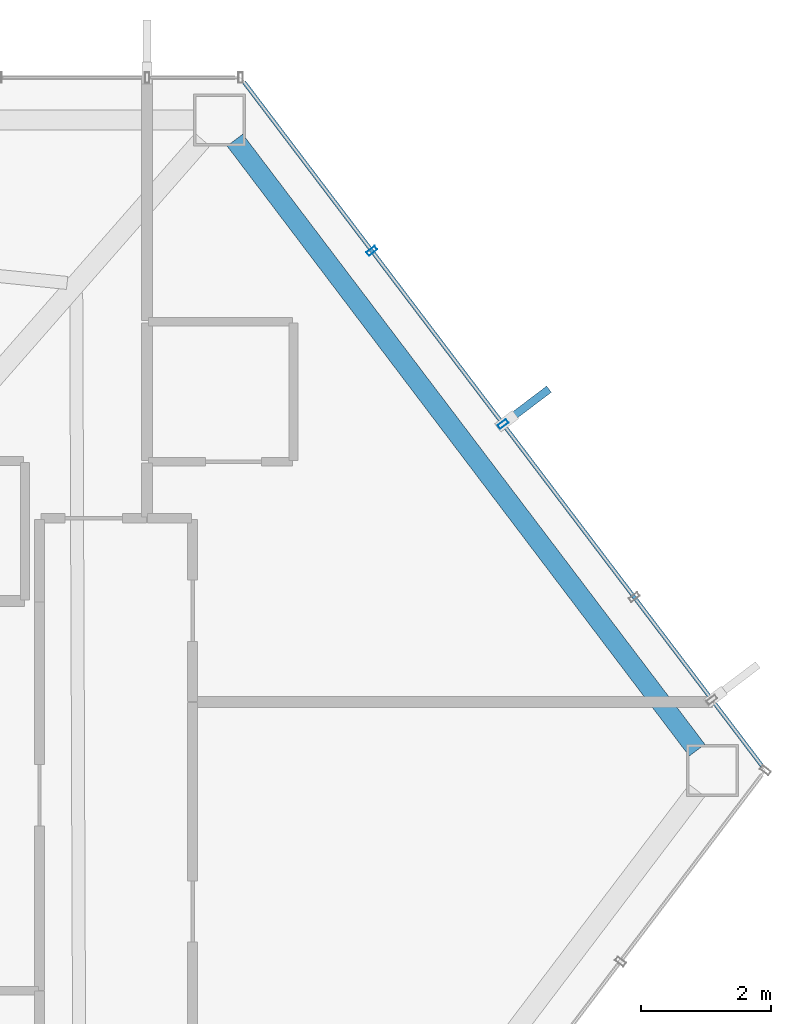
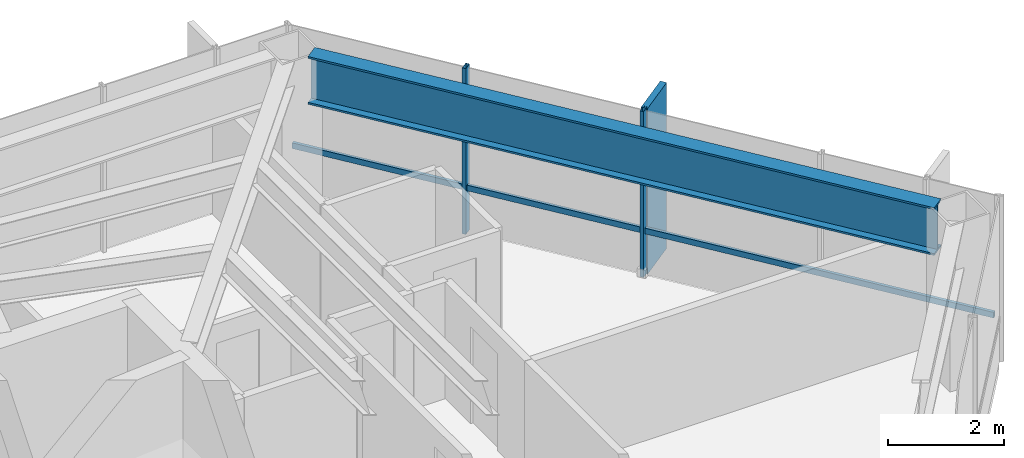
# One storey, part 23 of 28: 4 members, 1 beam, 1 element without a shape of its own.
"""IFC4 building model written with IfcOpenShell, lengths in metres."""

from ifc_helpers import new_model, si_unit, direction, frame, origin, origin_2d, place, context, subcontext, project, spatial, rectangle, hollow_rectangle, i_section, extrude, material, layer, layer_set, material_profile, profile_set, type_object, element, aggregate, save


model = new_model("IFC4")

# Units and contexts
model_context = context("Model", 3, precision=1e-05, world=origin(), true_north=direction((0.0, 1.0)))
body_context = subcontext(model_context, "Body", "Model", "MODEL_VIEW")
ifc_project = project(units=[si_unit("LENGTHUNIT", "METRE"), si_unit("AREAUNIT", "SQUARE_METRE"), si_unit("VOLUMEUNIT", "CUBIC_METRE"), si_unit("PLANEANGLEUNIT", "RADIAN"), si_unit("MASSUNIT", "GRAM", prefix="KILO")], contexts=[model_context])

# Site, building, storey
site_placement = place(None, origin())
site = spatial("IfcSite", under=ifc_project, at=site_placement, CompositionType="ELEMENT")
building_placement = place(site_placement, origin())
building = spatial("IfcBuilding", under=site, at=building_placement, Name="Zarrinselat Tower", CompositionType="ELEMENT")
storey_placement = place(building_placement, frame((0.0, 0.0, 123.419921875)))
storey = spatial("IfcBuildingStorey", under=building, at=storey_placement, Name="L29", CompositionType="ELEMENT", Elevation=123.419921875)

# Beam
ifc_material_1 = material(Name="Steel S460M", Category="steel")
ifc_material_profile_1 = material_profile(ifc_material_1, i_section(OverallWidth=0.302001953125, OverallDepth=1.008056640625, WebThickness=0.02099609375, FlangeThickness=0.0400390625, at=origin_2d()), Name="HEM 1000")
ifc_profile_set_1 = profile_set([ifc_material_profile_1], Name="Steel S460M")
beam_type = type_object("IfcBeamType", Name="BM-HEM1000", PredefinedType="BEAM", material=ifc_profile_set_1)
beam_placement = place(storey_placement, frame((54.64892578125, 48.307373046875, 2.99609375), z_axis=(0.603854888535, -0.79709426895, 0.0), x_axis=(0.79709426895, 0.603854888535, 0.0)))
element("IfcBeam", 1, at=beam_placement, inside=storey, type_object=beam_type, Name="L29 Perimeter Spandrel Girder SP15", PredefinedType="BEAM", context=body_context, shape_type="SweptSolid", body=[
    extrude(i_section(OverallWidth=0.302001953125, OverallDepth=1.008056640625, WebThickness=0.02099609375, FlangeThickness=0.0400390625, at=origin_2d()), origin(), (0.0, 0.0, 1.0), 11.75341796875),
])

# Curtain wall, members
ifc_material_2 = material(Name="Extruded Aluminium Alloy EN AW-6063 T6", Category="aluminium")
ifc_layer = layer(ifc_material_2, 0.175048828125)
ifc_layer_set = layer_set([ifc_layer], Name="Extruded Aluminium Alloy EN AW-6063 T6")
curtain_wall_type = type_object("IfcCurtainWallType", Name="CWS-HTL", PredefinedType="NOTDEFINED", material=ifc_layer_set)
curtain_wall_placement = place(storey_placement, origin())
curtain_wall = element("IfcCurtainWall", 2, at=curtain_wall_placement, inside=storey, type_object=curtain_wall_type, Name="L29 Unitised Curtain Wall CW-L29-E06", PredefinedType="NOTDEFINED")
ifc_material_3 = material(Name="Extruded Aluminium Alloy EN AW-6063 T6", Category="aluminium")
ifc_material_profile_2 = material_profile(ifc_material_3, hollow_rectangle(XDim=0.070068359375, YDim=0.159912109375, WallThickness=0.00390625, at=origin_2d()), Name="RHS 160x70x4")
ifc_profile_set_2 = profile_set([ifc_material_profile_2], Name="Extruded Aluminium Alloy EN AW-6063 T6")
member_type_1 = type_object("IfcMemberType", Name="MEM-CW-MUL2", PredefinedType="MULLION", material=ifc_profile_set_2)
member_1_placement = place(storey_placement, frame((58.766845703125, 43.947998046875, 0.0), z_axis=(0.0, 0.0, 1.0), x_axis=(-0.603858409354, 0.79709160167, 0.0)))
member_1 = element("IfcMember", 3, at=member_1_placement, type_object=member_type_1, Name="CW-L29-E06 Mullion 3", PredefinedType="MULLION", context=body_context, shape_type="SweptSolid", body=[
    extrude(hollow_rectangle(XDim=0.070068359375, YDim=0.159912109375, WallThickness=0.00390625, at=origin_2d()), origin(), (0.0, 0.0, 1.0), 3.5),
])
member_2_placement = place(storey_placement, frame((56.752197265625, 46.607421875, 0.0), z_axis=(0.0, 0.0, 1.0), x_axis=(-0.603858409354, 0.79709160167, 0.0)))
member_2 = element("IfcMember", 4, at=member_2_placement, type_object=member_type_1, Name="CW-L29-E06 Mullion 4", PredefinedType="MULLION", context=body_context, shape_type="SweptSolid", body=[
    extrude(hollow_rectangle(XDim=0.070068359375, YDim=0.159912109375, WallThickness=0.00390625, at=origin_2d()), origin(), (0.0, 0.0, 1.0), 3.5),
])
ifc_material_4 = material(Name="Extruded Aluminium Alloy EN AW-6063 T6", Category="aluminium")
ifc_material_profile_3 = material_profile(ifc_material_4, hollow_rectangle(XDim=0.06005859375, YDim=0.1201171875, WallThickness=0.00390625, at=origin_2d()), Name="RHS 120x60x4")
ifc_profile_set_3 = profile_set([ifc_material_profile_3], Name="Extruded Aluminium Alloy EN AW-6063 T6")
member_type_2 = type_object("IfcMemberType", Name="MEM-CW-TRN2", PredefinedType="USERDEFINED", material=ifc_profile_set_3)
member_3_placement = place(storey_placement, frame((62.74169921875, 38.701171875, 0.9501953125), z_axis=(-0.603847333729, 0.797099992189, 0.0), x_axis=(-0.797099992189, -0.603847333729, 0.0)))
member_3 = element("IfcMember", 5, at=member_3_placement, type_object=member_type_2, Name="CW-L29-E06 Transom 1", ObjectType="TRANSOM", PredefinedType="USERDEFINED", context=body_context, shape_type="SweptSolid", body=[
    extrude(hollow_rectangle(XDim=0.06005859375, YDim=0.1201171875, WallThickness=0.00390625, at=origin_2d()), origin(), (0.0, 0.0, 1.0), 13.1650390625),
])
ifc_material_5 = material(Name="Honed Cream Travertine Stone", Category="masonry")
ifc_material_profile_4 = material_profile(ifc_material_5, rectangle(XDim=0.1201171875, YDim=0.85009765625, at=origin_2d()), Name="FIN 850x120")
ifc_profile_set_4 = profile_set([ifc_material_profile_4], Name="Honed Cream Travertine Stone")
member_type_3 = type_object("IfcMemberType", Name="MEM-STONE-FIN", PredefinedType="USERDEFINED", material=ifc_profile_set_4)
member_4_placement = place(storey_placement, frame((59.133544921875, 44.225830078125, 0.0), z_axis=(0.0, 0.0, 1.0), x_axis=(0.603858409354, -0.79709160167, 0.0)))
member_4 = element("IfcMember", 6, at=member_4_placement, type_object=member_type_3, Name="L29 Stone Shading Fin CW-L29-E06-03", ObjectType="FIN", PredefinedType="USERDEFINED", context=body_context, shape_type="SweptSolid", body=[
    extrude(rectangle(XDim=0.1201171875, YDim=0.85009765625, at=origin_2d()), origin(), (0.0, 0.0, 1.0), 3.5),
])
aggregate(curtain_wall, [member_1, member_4, member_2, member_3])

save(model, "model.ifc")
